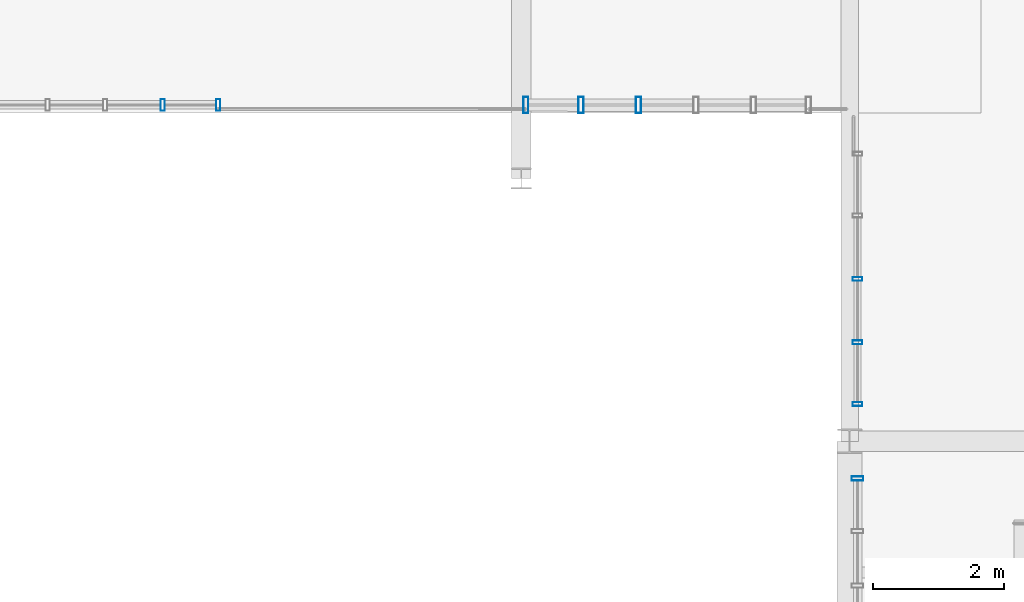
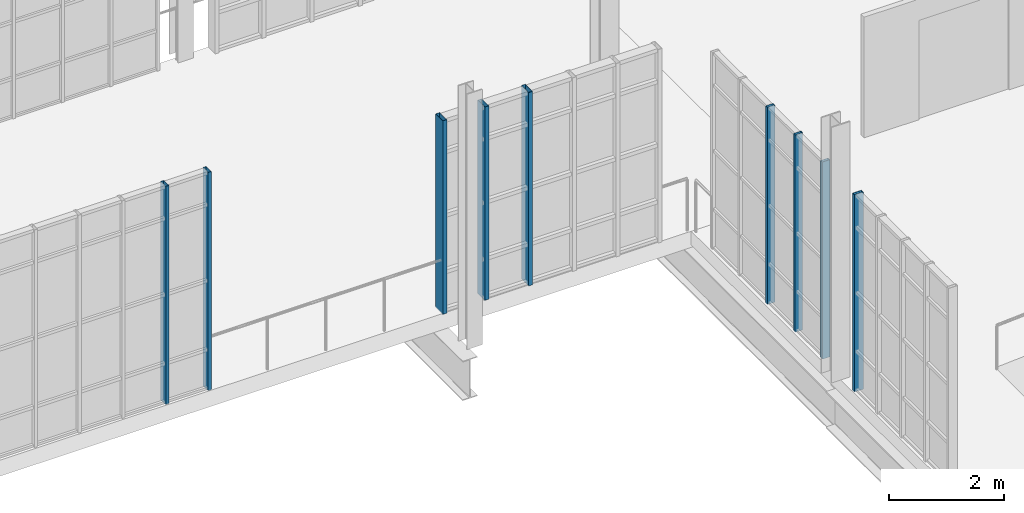
# One storey, part 48 of 189: 9 members, 4 elements without a shape of their own.
"""IFC4 building model written with IfcOpenShell, lengths in metres."""

from ifc_helpers import new_model, si_unit, direction, frame, origin, origin_2d, place, context, subcontext, project, spatial, hollow_rectangle, extrude, material, layer, layer_set, material_profile, profile_set, type_object, element, aggregate, save


model = new_model("IFC4")

# Units and contexts
model_context = context("Model", 3, precision=1e-05, world=origin(), true_north=direction((0.0, 1.0)))
body_context = subcontext(model_context, "Body", "Model", "MODEL_VIEW")
ifc_project = project(units=[si_unit("LENGTHUNIT", "METRE"), si_unit("AREAUNIT", "SQUARE_METRE"), si_unit("VOLUMEUNIT", "CUBIC_METRE"), si_unit("PLANEANGLEUNIT", "RADIAN"), si_unit("MASSUNIT", "GRAM", prefix="KILO"), si_unit("THERMODYNAMICTEMPERATUREUNIT", "KELVIN"), si_unit("POWERUNIT", "WATT")], contexts=[model_context])

# Site, building, storey
site_placement = place(None, origin())
site = spatial("IfcSite", under=ifc_project, at=site_placement, CompositionType="ELEMENT")
building_placement = place(site_placement, origin())
building = spatial("IfcBuilding", under=site, at=building_placement, Name="Zelmaris Science Centre", CompositionType="ELEMENT")
storey_placement = place(building_placement, origin())
storey = spatial("IfcBuildingStorey", under=building, at=storey_placement, Name="L00", CompositionType="ELEMENT", Elevation=0.0)

# Curtain wall, members
ifc_material = material(Name="Anodised architectural aluminium 6063-T6", Category="aluminium")
ifc_layer_1 = layer(ifc_material, 0.219970703125, Name="Anodised architectural aluminium 6063-T6")
ifc_layer_set_1 = layer_set([ifc_layer_1], Name="Anodised architectural aluminium 6063-T6")
curtain_wall_type_1 = type_object("IfcCurtainWallType", Name="Curtain Wall CW-04", PredefinedType="USERDEFINED", material=ifc_layer_set_1)
curtain_wall_1_placement = place(storey_placement, origin())
curtain_wall_1 = element("IfcCurtainWall", 1, at=curtain_wall_1_placement, inside=storey, type_object=curtain_wall_type_1, Name="L00 Unitised curtain wall 112", ObjectType="GLAZED CURTAIN WALL", PredefinedType="USERDEFINED")
ifc_material_profile_1 = material_profile(ifc_material, hollow_rectangle(XDim=0.06005859375, YDim=0.14990234375, WallThickness=0.00341796875, at=origin_2d()), Name="ALU-MUL-60X150")
ifc_profile_set_1 = profile_set([ifc_material_profile_1], Name="Anodised architectural aluminium 6063-T6")
member_type_1 = type_object("IfcMemberType", Name="ALU-MUL-60X150", PredefinedType="MULLION", material=ifc_profile_set_1)
member_1_placement = place(storey_placement, frame((108.1201171875, 16.56591796875, -0.014892578125), z_axis=(0.0, 0.0, 1.0), x_axis=(-6.981317e-06, 0.999999999976, 0.0)))
member_1 = element("IfcMember", 2, at=member_1_placement, type_object=member_type_1, Name="CW-04 mullion 1", PredefinedType="MULLION", context=body_context, shape_type="SweptSolid", body=[
    extrude(hollow_rectangle(XDim=0.06005859375, YDim=0.14990234375, WallThickness=0.00341796875, at=origin_2d()), origin(), (0.0, 0.0, 1.0), 4.16796875),
])
member_2_placement = place(storey_placement, frame((108.1201171875, 17.5048828125, -0.014892578125), z_axis=(0.0, 0.0, 1.0), x_axis=(-6.981317e-06, 0.999999999976, 0.0)))
member_2 = element("IfcMember", 3, at=member_2_placement, type_object=member_type_1, Name="CW-04 mullion 2", PredefinedType="MULLION", context=body_context, shape_type="SweptSolid", body=[
    extrude(hollow_rectangle(XDim=0.06005859375, YDim=0.14990234375, WallThickness=0.00341796875, at=origin_2d()), origin(), (0.0, 0.0, 1.0), 4.16796875),
])
member_3_placement = place(storey_placement, frame((108.1201171875, 18.469970703125, -0.014892578125), z_axis=(0.0, 0.0, 1.0), x_axis=(-6.981317e-06, 0.999999999976, 0.0)))
member_3 = element("IfcMember", 4, at=member_3_placement, type_object=member_type_1, Name="CW-04 mullion 3", PredefinedType="MULLION", context=body_context, shape_type="SweptSolid", body=[
    extrude(hollow_rectangle(XDim=0.06005859375, YDim=0.14990234375, WallThickness=0.00341796875, at=origin_2d()), origin(), (0.0, 0.0, 1.0), 4.16796875),
])
aggregate(curtain_wall_1, [member_1, member_2, member_3])

# Curtain wall, member
ifc_layer_2 = layer(ifc_material, 0.2099609375, Name="Anodised architectural aluminium 6063-T6")
ifc_layer_set_2 = layer_set([ifc_layer_2], Name="Anodised architectural aluminium 6063-T6")
curtain_wall_type_2 = type_object("IfcCurtainWallType", Name="Curtain Wall CW-03", PredefinedType="USERDEFINED", material=ifc_layer_set_2)
curtain_wall_2_placement = place(storey_placement, origin())
curtain_wall_2 = element("IfcCurtainWall", 5, at=curtain_wall_2_placement, inside=storey, type_object=curtain_wall_type_2, Name="L00 Unitised curtain wall 111", ObjectType="GLAZED CURTAIN WALL", PredefinedType="USERDEFINED")
ifc_material_profile_2 = material_profile(ifc_material, hollow_rectangle(XDim=0.06494140625, YDim=0.179931640625, WallThickness=0.00390625, at=origin_2d()), Name="ALU-MUL-65X180")
ifc_profile_set_2 = profile_set([ifc_material_profile_2], Name="Anodised architectural aluminium 6063-T6")
member_type_2 = type_object("IfcMemberType", Name="ALU-MUL-65X180", PredefinedType="MULLION", material=ifc_profile_set_2)
member_4_placement = place(storey_placement, frame((108.1201171875, 15.431396484375, -0.014892578125), z_axis=(0.0, 0.0, 1.0), x_axis=(-6.981317e-06, 0.999999999976, 0.0)))
member_4 = element("IfcMember", 6, at=member_4_placement, type_object=member_type_2, Name="CW-03 mullion 5", PredefinedType="MULLION", context=body_context, shape_type="SweptSolid", body=[
    extrude(hollow_rectangle(XDim=0.06494140625, YDim=0.179931640625, WallThickness=0.00390625, at=origin_2d()), origin(), (0.0, 0.0, 1.0), 4.16796875),
])
aggregate(curtain_wall_2, [member_4])

# Curtain wall, members
curtain_wall_3_placement = place(storey_placement, origin())
curtain_wall_3 = element("IfcCurtainWall", 7, at=curtain_wall_3_placement, inside=storey, type_object=curtain_wall_type_2, Name="L00 Unitised curtain wall 115", ObjectType="GLAZED CURTAIN WALL", PredefinedType="USERDEFINED")
member_5_placement = place(storey_placement, frame((98.388916015625, 21.11962890625, -0.014892578125), z_axis=(0.0, 0.0, 1.0), x_axis=(-0.999999996491, 8.3775804e-05, 0.0)))
member_5 = element("IfcMember", 8, at=member_5_placement, type_object=member_type_2, Name="CW-03 mullion 1", PredefinedType="MULLION", context=body_context, shape_type="SweptSolid", body=[
    extrude(hollow_rectangle(XDim=0.06494140625, YDim=0.179931640625, WallThickness=0.00390625, at=origin_2d()), origin(), (0.0, 0.0, 1.0), 4.614990234375),
])
member_6_placement = place(storey_placement, frame((97.541748046875, 21.119873046875, -0.014892578125), z_axis=(0.0, 0.0, 1.0), x_axis=(-0.999999996491, 8.3775804e-05, 0.0)))
member_6 = element("IfcMember", 9, at=member_6_placement, type_object=member_type_2, Name="CW-03 mullion 2", PredefinedType="MULLION", context=body_context, shape_type="SweptSolid", body=[
    extrude(hollow_rectangle(XDim=0.06494140625, YDim=0.179931640625, WallThickness=0.00390625, at=origin_2d()), origin(), (0.0, 0.0, 1.0), 4.614990234375),
])
aggregate(curtain_wall_3, [member_5, member_6])

ifc_layer_3 = layer(ifc_material, 0.18994140625, Name="Anodised architectural aluminium 6063-T6")
ifc_layer_set_3 = layer_set([ifc_layer_3], Name="Anodised architectural aluminium 6063-T6")
curtain_wall_type_3 = type_object("IfcCurtainWallType", Name="Curtain Wall CW-01", PredefinedType="USERDEFINED", material=ifc_layer_set_3)
curtain_wall_4_placement = place(storey_placement, origin())
curtain_wall_4 = element("IfcCurtainWall", 10, at=curtain_wall_4_placement, inside=storey, type_object=curtain_wall_type_3, Name="L00 Unitised curtain wall 113", ObjectType="GLAZED CURTAIN WALL", PredefinedType="USERDEFINED")
ifc_material_profile_3 = material_profile(ifc_material, hollow_rectangle(XDim=0.080078125, YDim=0.25, WallThickness=0.0048828125, at=origin_2d()), Name="ALU-MUL-80X250")
ifc_profile_set_3 = profile_set([ifc_material_profile_3], Name="Anodised architectural aluminium 6063-T6")
member_type_3 = type_object("IfcMemberType", Name="ALU-MUL-80X250", PredefinedType="MULLION", material=ifc_profile_set_3)
member_7_placement = place(storey_placement, frame((104.785400390625, 21.119140625, -0.014892578125), z_axis=(0.0, 0.0, 1.0), x_axis=(-0.999999996491, 8.3775804e-05, 0.0)))
member_7 = element("IfcMember", 11, at=member_7_placement, type_object=member_type_3, Name="CW-01 mullion 4", PredefinedType="MULLION", context=body_context, shape_type="SweptSolid", body=[
    extrude(hollow_rectangle(XDim=0.080078125, YDim=0.25, WallThickness=0.0048828125, at=origin_2d()), origin(), (0.0, 0.0, 1.0), 4.0888671875),
])
member_8_placement = place(storey_placement, frame((103.909912109375, 21.119140625, -0.014892578125), z_axis=(0.0, 0.0, 1.0), x_axis=(-0.999999996491, 8.3775804e-05, 0.0)))
member_8 = element("IfcMember", 12, at=member_8_placement, type_object=member_type_3, Name="CW-01 mullion 5", PredefinedType="MULLION", context=body_context, shape_type="SweptSolid", body=[
    extrude(hollow_rectangle(XDim=0.080078125, YDim=0.25, WallThickness=0.0048828125, at=origin_2d()), origin(), (0.0, 0.0, 1.0), 4.0888671875),
])
member_9_placement = place(storey_placement, frame((103.070556640625, 21.119384765625, -0.014892578125), z_axis=(0.0, 0.0, 1.0), x_axis=(-0.999999996491, 8.3775804e-05, 0.0)))
member_9 = element("IfcMember", 13, at=member_9_placement, type_object=member_type_3, Name="CW-01 mullion 6", PredefinedType="MULLION", context=body_context, shape_type="SweptSolid", body=[
    extrude(hollow_rectangle(XDim=0.080078125, YDim=0.25, WallThickness=0.0048828125, at=origin_2d()), origin(), (0.0, 0.0, 1.0), 4.0888671875),
])
aggregate(curtain_wall_4, [member_7, member_8, member_9])

save(model, "model.ifc")
